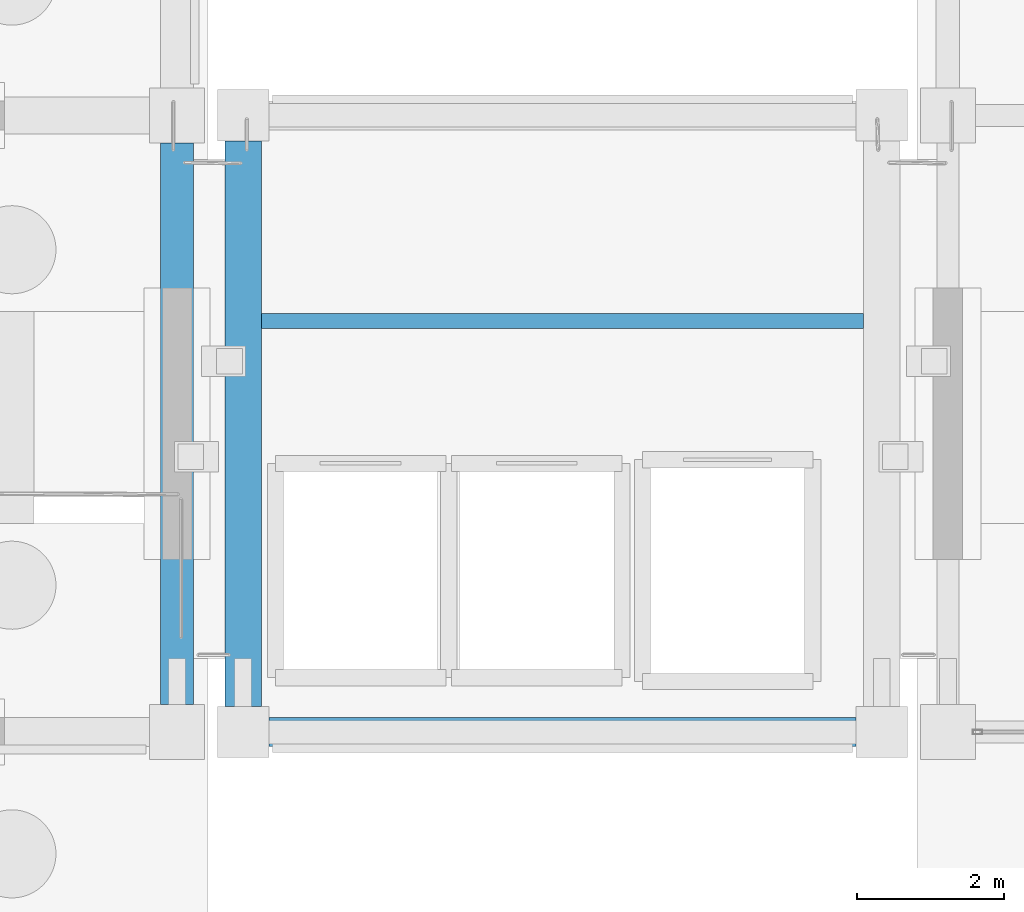
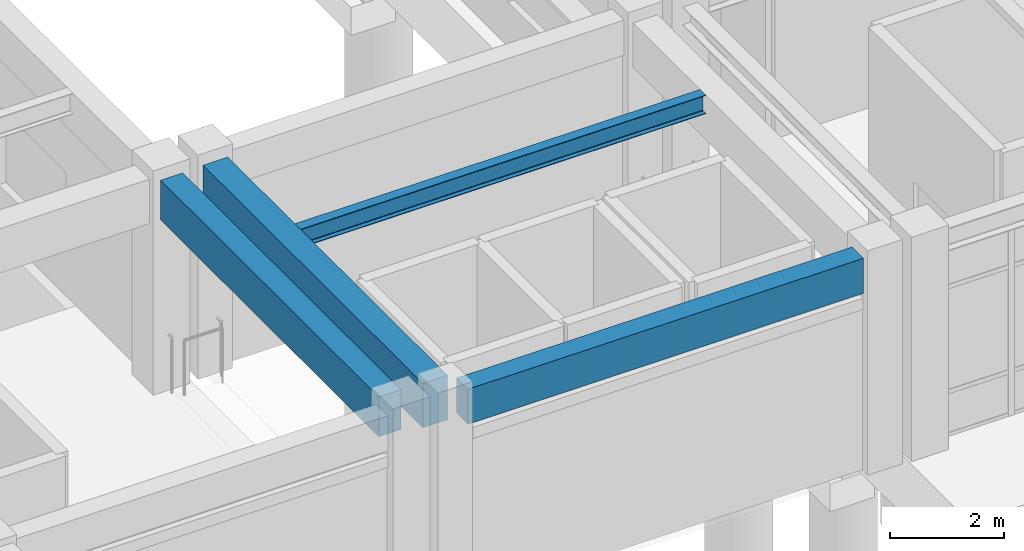
# One storey, part 41 of 111: 4 beams.
"""IFC4 building model written with IfcOpenShell, lengths in metres."""

from ifc_helpers import new_model, si_unit, direction, frame, origin, origin_2d, place, context, subcontext, project, spatial, rectangle, i_section, extrude, material, material_profile, profile_set, type_object, element, save


model = new_model("IFC4")

# Units and contexts
model_context = context("Model", 3, precision=1e-05, world=origin(), true_north=direction((0.0, 1.0)))
body_context = subcontext(model_context, "Body", "Model", "MODEL_VIEW")
ifc_project = project(units=[si_unit("LENGTHUNIT", "METRE"), si_unit("AREAUNIT", "SQUARE_METRE"), si_unit("VOLUMEUNIT", "CUBIC_METRE"), si_unit("PLANEANGLEUNIT", "RADIAN"), si_unit("MASSUNIT", "GRAM", prefix="KILO")], contexts=[model_context])

# Site, building, storey
site_placement = place(None, origin())
site = spatial("IfcSite", under=ifc_project, at=site_placement, CompositionType="ELEMENT")
building_placement = place(site_placement, origin())
building = spatial("IfcBuilding", under=site, at=building_placement, Name="Canglan Escarpment Cableway Terminal", CompositionType="ELEMENT")
storey_placement = place(building_placement, frame((0.0, 0.0, 4.800048828125)))
storey = spatial("IfcBuildingStorey", under=building, at=storey_placement, Name="L01", CompositionType="ELEMENT", Elevation=4.800048828125)

# Beams
ifc_material_1 = material(Name="Concrete C40", Category="concrete")
ifc_material_profile_1 = material_profile(ifc_material_1, rectangle(XDim=0.449951171875, YDim=0.85009765625, at=origin_2d()), Name="RC 450x850")
ifc_profile_set_1 = profile_set([ifc_material_profile_1], Name="Concrete C40")
beam_type_1 = type_object("IfcBeamType", Name="BM-RC450x850", PredefinedType="BEAM", material=ifc_profile_set_1)
beam_1_placement = place(storey_placement, frame((136.699951171875, 8.375, 4.125), z_axis=(0.0, 1.0, 0.0), x_axis=(-1.0, 0.0, 0.0)))
element("IfcBeam", 1, at=beam_1_placement, inside=storey, type_object=beam_type_1, Name="Primary transverse girder B-02", PredefinedType="BEAM", context=body_context, shape_type="SweptSolid", body=[
    extrude(rectangle(XDim=0.449951171875, YDim=0.85009765625, at=origin_2d()), origin(), (0.0, 0.0, 1.0), 7.64990234375),
])
ifc_material_2 = material(Name="Concrete C50", Category="concrete")
ifc_material_profile_2 = material_profile(ifc_material_2, rectangle(XDim=0.5, YDim=0.949951171875, at=origin_2d()), Name="RC 500x950")
ifc_profile_set_2 = profile_set([ifc_material_profile_2], Name="Concrete C50")
beam_type_2 = type_object("IfcBeamType", Name="BM-RC500x950", PredefinedType="BEAM", material=ifc_profile_set_2)
beam_2_placement = place(storey_placement, frame((137.60009765625, 8.35009765625, 4.074951171875), z_axis=(0.0, 1.0, 0.0), x_axis=(-1.0, 0.0, 0.0)))
element("IfcBeam", 2, at=beam_2_placement, inside=storey, type_object=beam_type_2, Name="Primary transverse girder B-01", PredefinedType="BEAM", context=body_context, shape_type="SweptSolid", body=[
    extrude(rectangle(XDim=0.5, YDim=0.949951171875, at=origin_2d()), origin(), (0.0, 0.0, 1.0), 7.699951171875),
])
ifc_material_3 = material(Name="Steel Q355B", Category="steel")
ifc_material_profile_3 = material_profile(ifc_material_3, i_section(OverallWidth=0.199951171875, OverallDepth=0.39990234375, WebThickness=0.008056640625, FlangeThickness=0.012939453125, FilletRadius=0.01611328125, at=origin_2d()), Name="HN 400x200x8x13")
ifc_profile_set_3 = profile_set([ifc_material_profile_3], Name="Steel Q355B")
beam_type_3 = type_object("IfcBeamType", Name="JS-HN400", PredefinedType="JOIST", material=ifc_profile_set_3)
beam_3_placement = place(storey_placement, frame((137.85009765625, 13.60009765625, 4.349853515625), z_axis=(1.0, 0.0, 0.0), x_axis=(0.0, 1.0, 0.0)))
element("IfcBeam", 3, at=beam_3_placement, inside=storey, type_object=beam_type_3, Name="Secondary composite deck joist J-03", PredefinedType="JOIST", context=body_context, shape_type="SweptSolid", body=[
    extrude(i_section(OverallWidth=0.199951171875, OverallDepth=0.39990234375, WebThickness=0.008056640625, FlangeThickness=0.012939453125, FilletRadius=0.01611328125, at=origin_2d()), origin(), (0.0, 0.0, 1.0), 8.199951171875),
])
ifc_material_profile_4 = material_profile(ifc_material_1, rectangle(XDim=0.39990234375, YDim=0.75, at=origin_2d()), Name="RC 400x750")
ifc_profile_set_4 = profile_set([ifc_material_profile_4], Name="Concrete C40")
beam_type_4 = type_object("IfcBeamType", Name="SP-RC400x750", PredefinedType="SPANDREL", material=ifc_profile_set_4)
beam_4_placement = place(storey_placement, frame((137.949951171875, 8.0, 4.175048828125), z_axis=(1.0, 0.0, 0.0), x_axis=(0.0, 1.0, 0.0)))
element("IfcBeam", 4, at=beam_4_placement, inside=storey, type_object=beam_type_4, Name="Primary structural girder SP-01", PredefinedType="SPANDREL", context=body_context, shape_type="SweptSolid", body=[
    extrude(rectangle(XDim=0.39990234375, YDim=0.75, at=origin_2d()), origin(), (0.0, 0.0, 1.0), 8.0),
])

save(model, "model.ifc")
